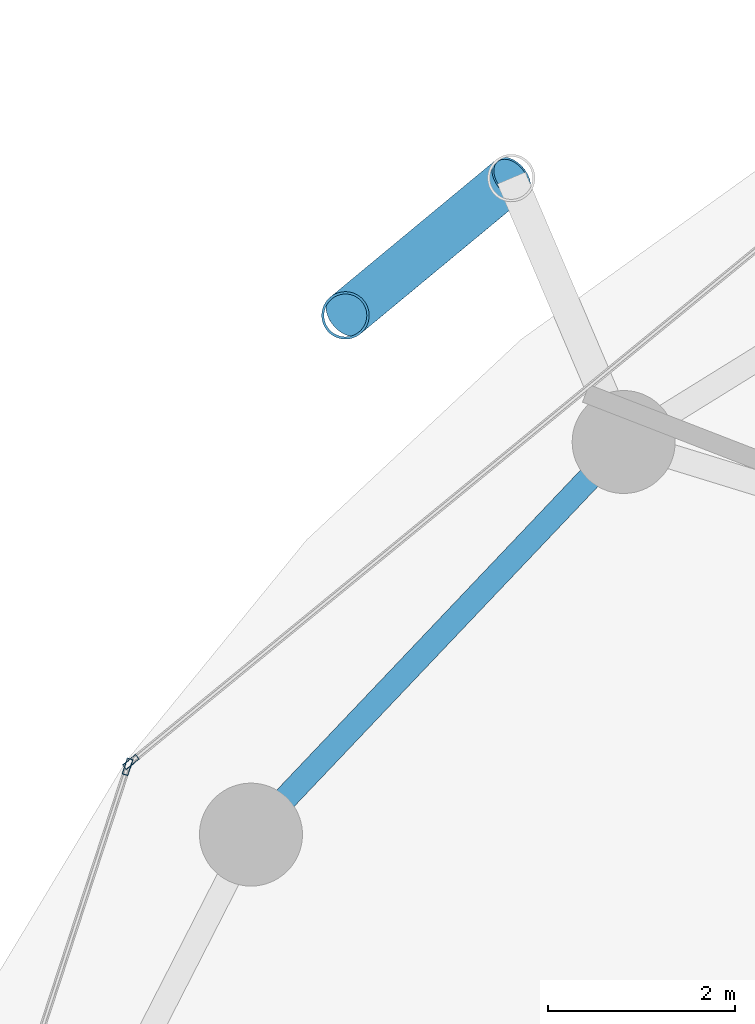
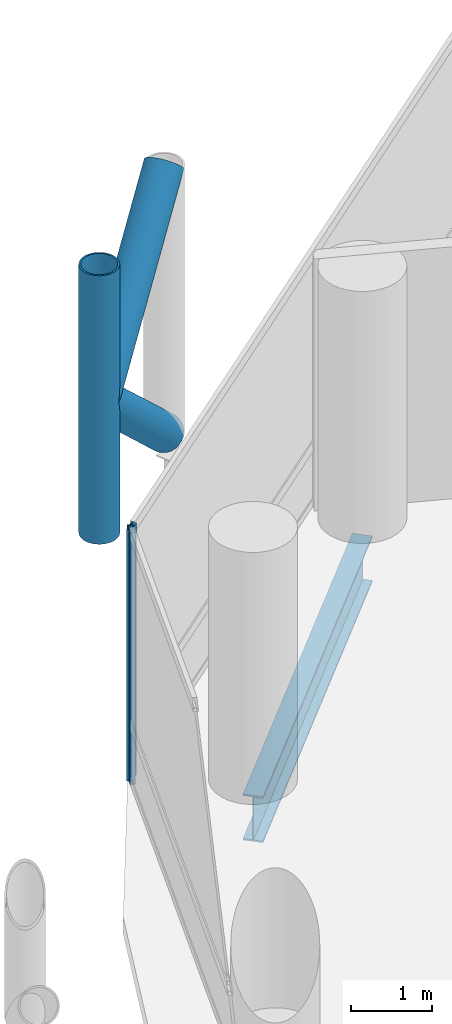
# One storey, part 13 of 24: 5 members, 1 beam, 2 elements without a shape of their own.
"""IFC4 building model written with IfcOpenShell, lengths in metres."""

from ifc_helpers import new_model, si_unit, direction, frame, origin, origin_2d, place, context, subcontext, project, spatial, hollow_rectangle, hollow_circle, i_section, extrude, material, layer, layer_set, material_profile, profile_set, type_object, element, aggregate, save


model = new_model("IFC4")

# Units and contexts
model_context = context("Model", 3, precision=1e-05, world=origin(), true_north=direction((0.0, 1.0)))
body_context = subcontext(model_context, "Body", "Model", "MODEL_VIEW")
ifc_project = project(units=[si_unit("LENGTHUNIT", "METRE"), si_unit("AREAUNIT", "SQUARE_METRE"), si_unit("VOLUMEUNIT", "CUBIC_METRE"), si_unit("PLANEANGLEUNIT", "RADIAN"), si_unit("MASSUNIT", "GRAM", prefix="KILO")], contexts=[model_context])

# Site, building, storey
site_placement = place(None, origin())
site = spatial("IfcSite", under=ifc_project, at=site_placement, CompositionType="ELEMENT")
building_placement = place(site_placement, origin())
building = spatial("IfcBuilding", under=site, at=building_placement, Name="Nuhasar Tower", CompositionType="ELEMENT")
storey_placement = place(building_placement, frame((0.0, 0.0, 73.64990234375)))
storey = spatial("IfcBuildingStorey", under=building, at=storey_placement, Name="L17", CompositionType="ELEMENT", Elevation=73.64990234375)

# Beam
ifc_material_1 = material(Name="Steel S355", Category="steel")
ifc_material_profile_1 = material_profile(ifc_material_1, i_section(OverallWidth=0.256103515625, OverallDepth=0.693115234375, WebThickness=0.014404296875, FlangeThickness=0.023681640625, at=origin_2d()), Name="W27X114")
ifc_profile_set_1 = profile_set([ifc_material_profile_1], Name="Steel S355")
beam_type = type_object("IfcBeamType", Name="BM-RING-W27X114", PredefinedType="SPANDREL", material=ifc_profile_set_1)
beam_placement = place(storey_placement, frame((21.287109375, 41.118896484375, -0.596923828125), z_axis=(-0.688480893507, -0.725254478976, 0.0), x_axis=(0.725254478976, -0.688480893507, 0.0)))
element("IfcBeam", 1, at=beam_placement, inside=storey, type_object=beam_type, Name="L17 Perimeter Ring Spandrel 10", PredefinedType="SPANDREL", context=body_context, shape_type="SweptSolid", body=[
    extrude(i_section(OverallWidth=0.256103515625, OverallDepth=0.693115234375, WebThickness=0.014404296875, FlangeThickness=0.023681640625, at=origin_2d()), origin(), (0.0, 0.0, 1.0), 5.782470703125),
])

# Curtain wall, member
ifc_material_2 = material(Name="Aluminium 6063-T6", Category="aluminium")
ifc_layer = layer(ifc_material_2, 0.199951171875)
ifc_layer_set = layer_set([ifc_layer], Name="Aluminium 6063-T6")
curtain_wall_type = type_object("IfcCurtainWallType", Name="CW-Z1-OFF", PredefinedType="NOTDEFINED", material=ifc_layer_set)
curtain_wall_1_placement = place(storey_placement, origin())
curtain_wall_1 = element("IfcCurtainWall", 2, at=curtain_wall_1_placement, inside=storey, type_object=curtain_wall_type, Name="L17 Unitised Curtain Wall 05", PredefinedType="NOTDEFINED")
ifc_material_profile_2 = material_profile(ifc_material_2, hollow_rectangle(XDim=0.06494140625, YDim=0.179931640625, WallThickness=0.0048828125, at=origin_2d()), Name="CWM-2")
ifc_profile_set_2 = profile_set([ifc_material_profile_2], Name="Aluminium 6063-T6")
member_type_1 = type_object("IfcMemberType", Name="CW-MUL-S2", PredefinedType="MULLION", material=ifc_profile_set_2)
member_1_placement = place(storey_placement, frame((16.023193359375, 37.70068359375, 0.0), z_axis=(0.0, 0.0, 1.0), x_axis=(0.633744593376, -0.773542364946, 0.0)))
member_1 = element("IfcMember", 3, at=member_1_placement, type_object=member_type_1, Name="CW-Z1 mullion 2", PredefinedType="MULLION", context=body_context, shape_type="SweptSolid", body=[
    extrude(hollow_rectangle(XDim=0.06494140625, YDim=0.179931640625, WallThickness=0.0048828125, at=origin_2d()), origin(), (0.0, 0.0, 1.0), 3.800048828125),
])
aggregate(curtain_wall_1, [member_1])

curtain_wall_2_placement = place(storey_placement, origin())
curtain_wall_2 = element("IfcCurtainWall", 4, at=curtain_wall_2_placement, inside=storey, type_object=curtain_wall_type, Name="L17 Unitised Curtain Wall 06", PredefinedType="NOTDEFINED")
member_2_placement = place(storey_placement, frame((15.98779296875, 37.649169921875, 0.0), z_axis=(0.0, 0.0, 1.0), x_axis=(0.950467534571, -0.310823849997, 0.0)))
member_2 = element("IfcMember", 5, at=member_2_placement, type_object=member_type_1, Name="CW-Z1 mullion 1", PredefinedType="MULLION", context=body_context, shape_type="SweptSolid", body=[
    extrude(hollow_rectangle(XDim=0.06494140625, YDim=0.179931640625, WallThickness=0.0048828125, at=origin_2d()), origin(), (0.0, 0.0, 1.0), 3.800048828125),
])
aggregate(curtain_wall_2, [member_2])

# Members
ifc_material_3 = material(Name="Steel S460", Category="steel")
ifc_material_profile_3 = material_profile(ifc_material_3, hollow_circle(Radius=0.25390625, WallThickness=0.025390625, at=origin_2d()), Name="HSS508X25.4")
ifc_profile_set_3 = profile_set([ifc_material_profile_3], Name="Steel S460")
member_type_2 = type_object("IfcMemberType", Name="EXO-BRONZE-508", PredefinedType="BRACE", material=ifc_profile_set_3)
member_3_placement = place(storey_placement, frame((18.31494140625, 42.470947265625, 0.0), z_axis=(0.0, 0.0, 1.0), x_axis=(1.0, 0.0, 0.0)))
element("IfcMember", 6, at=member_3_placement, inside=storey, type_object=member_type_2, Name="L17 Exoskeleton Chord Column EC-05B", PredefinedType="BRACE", context=body_context, shape_type="SweptSolid", body=[
    extrude(hollow_circle(Radius=0.25390625, WallThickness=0.025390625, at=origin_2d()), origin(), (0.0, 0.0, 1.0), 4.050048828125),
])
member_4_placement = place(storey_placement, frame((20.0869140625, 43.93896484375, 0.0), z_axis=(-0.578071194894, -0.478911834514, 0.660664172175), x_axis=(0.637969333506, -0.770061769929, 0.0)))
element("IfcMember", 7, at=member_4_placement, inside=storey, type_object=member_type_2, Name="L17 Bronze Diagrid Brace W1-05", PredefinedType="BRACE", context=body_context, shape_type="SweptSolid", body=[
    extrude(hollow_circle(Radius=0.25390625, WallThickness=0.025390625, at=origin_2d()), origin(), (0.0, 0.0, 1.0), 3.0654296875),
])
member_5_placement = place(storey_placement, frame((18.31494140625, 42.470947265625, 2.025146484375), z_axis=(0.578101613167, 0.478937034992, 0.660619286251), x_axis=(-0.637969333506, 0.770061769929, 0.0)))
element("IfcMember", 8, at=member_5_placement, inside=storey, type_object=member_type_2, Name="L17 Bronze Diagrid Brace W2-05", PredefinedType="BRACE", context=body_context, shape_type="SweptSolid", body=[
    extrude(hollow_circle(Radius=0.25390625, WallThickness=0.025390625, at=origin_2d()), origin(), (0.0, 0.0, 1.0), 3.065185546875),
])

save(model, "model.ifc")
